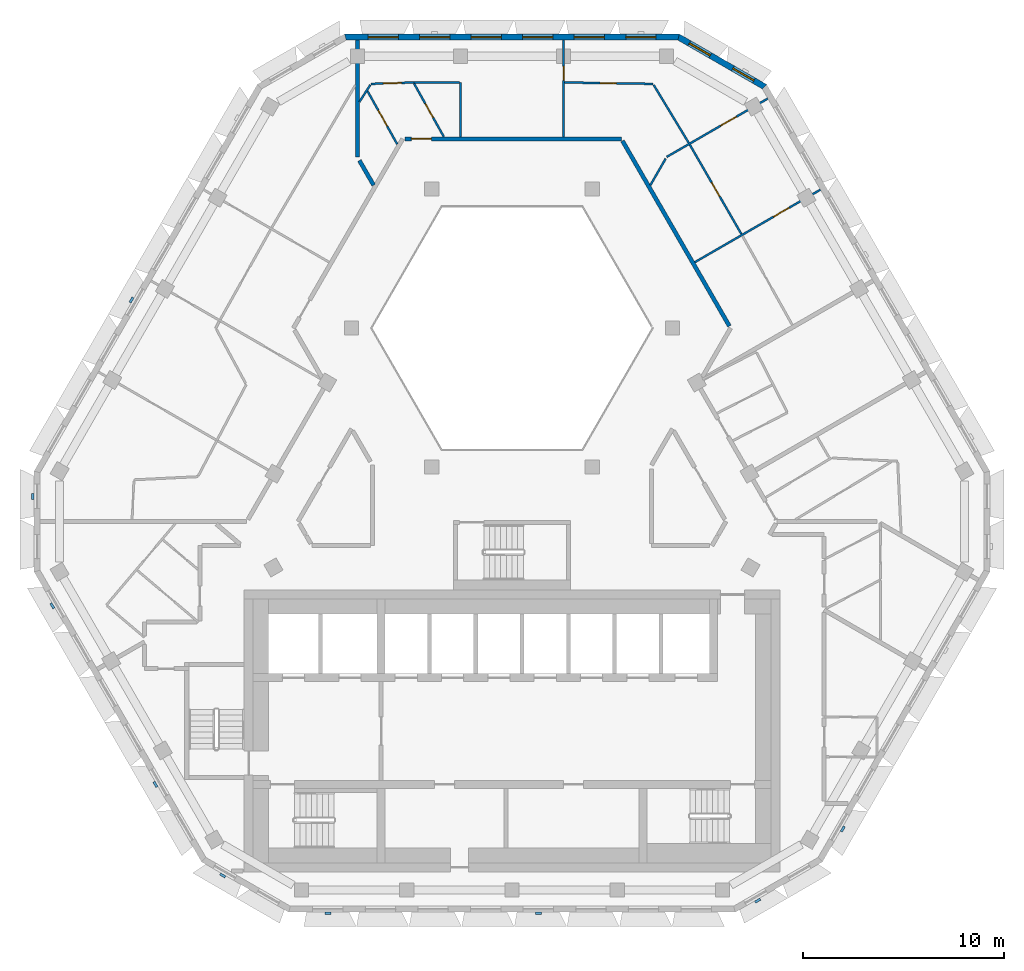
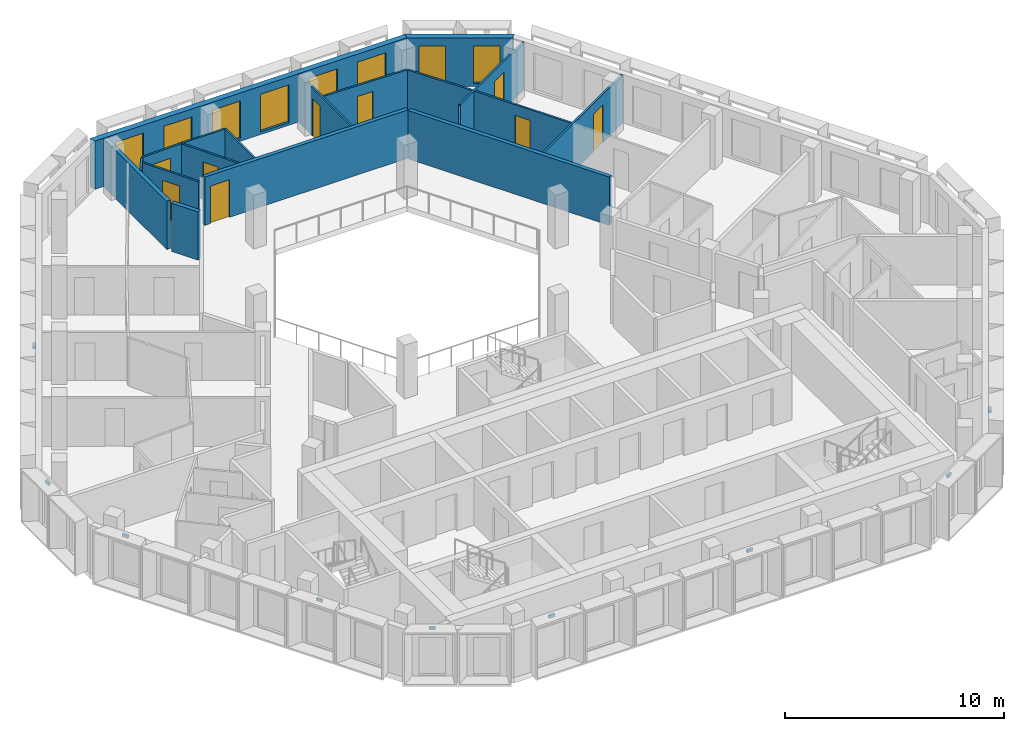
# One storey, part 8 of 16: 19 walls, 9 discrete accessories, 9 doors, 8 windows, 17 openings.
"""IFC4 building model written with IfcOpenShell, lengths in metres."""

from ifc_helpers import new_model, si_unit, direction, frame, frame_2d, origin, place, context, subcontext, project, spatial, polyline, rectangle, outline, extrude, source, transform, mapped, material, layer, layer_set, type_object, type_shapes, element, fill, save


model = new_model("IFC4")

# Units and contexts
model_context = context("Model", 3, precision=1e-05, world=origin(), true_north=direction((0.0, 1.0)))
body_context = subcontext(model_context, "Body", "Model", "MODEL_VIEW")
ifc_project = project(units=[si_unit("LENGTHUNIT", "METRE"), si_unit("AREAUNIT", "SQUARE_METRE"), si_unit("VOLUMEUNIT", "CUBIC_METRE"), si_unit("PLANEANGLEUNIT", "RADIAN"), si_unit("MASSUNIT", "GRAM", prefix="KILO")], contexts=[model_context])

# Site, building, storey
site_placement = place(None, origin())
site = spatial("IfcSite", under=ifc_project, at=site_placement, CompositionType="ELEMENT")
building_placement = place(site_placement, origin())
building = spatial("IfcBuilding", under=site, at=building_placement, Name="Beryl Residences", CompositionType="ELEMENT")
storey_placement = place(building_placement, frame((0.0, 0.0, 238.800048828125)))
storey = spatial("IfcBuildingStorey", under=building, at=storey_placement, Name="L74", CompositionType="ELEMENT", Elevation=238.800048828125)

# Wall, openings, windows
ifc_material_1 = material(Name="Composite metal panel with mineral wool insulation")
ifc_layer_1 = layer(ifc_material_1, 0.300048828125)
ifc_layer_set_1 = layer_set([ifc_layer_1], Name="ES1 pale metal composite panel wall 300 mm")
wall_type_1 = type_object("IfcWallType", Name="ES1 pale metal composite panel wall 300 mm", PredefinedType="SOLIDWALL", material=ifc_layer_set_1)
wall_1_placement = place(storey_placement, frame((8.31396484375, 22.449951171875, 0.0), z_axis=(0.0, 0.0, 1.0), x_axis=(-1.0, 0.0, 0.0)))
wall_1 = element("IfcWall", 1, at=wall_1_placement, inside=storey, type_object=wall_type_1, Name="ES1 external wall L74 N", PredefinedType="SOLIDWALL", context=body_context, shape_type="SweptSolid", body=[
    extrude(outline(polyline([(0.0, -0.14990234375), (16.6279296875, -0.14990234375), (16.547607421875, 0.14990234375), (0.080322265625, 0.14990234375), (0.0, -0.14990234375)])), origin(), (0.0, 0.0, 1.0), 2.699951171875),
])
opening_1_placement = place(wall_1_placement, frame((1.1650390625, 0.0, 0.14990234375)))
opening_1 = element("IfcOpeningElement", 2, at=opening_1_placement, cuts=wall_1, Name="Opening W1", PredefinedType="OPENING", context=body_context, shape_type="SweptSolid", body=[
    extrude(rectangle(XDim=1.5, YDim=2.10009765625, at=frame_2d((0.75, 1.050048828125))), frame((0.0, 0.159912109375, 0.0), z_axis=(0.0, -1.0, 0.0), x_axis=(1.0, 0.0, 0.0)), (0.0, 0.0, 1.0), 0.320068359375),
])
opening_2_placement = place(wall_1_placement, frame((3.72412109375, 0.0, 0.14990234375)))
opening_2 = element("IfcOpeningElement", 3, at=opening_2_placement, cuts=wall_1, Name="Opening W1", PredefinedType="OPENING", context=body_context, shape_type="SweptSolid", body=[
    extrude(rectangle(XDim=1.5, YDim=2.10009765625, at=frame_2d((0.75, 1.050048828125))), frame((0.0, 0.159912109375, 0.0), z_axis=(0.0, -1.0, 0.0), x_axis=(1.0, 0.0, 0.0)), (0.0, 0.0, 1.0), 0.320068359375),
])
opening_3_placement = place(wall_1_placement, frame((6.283935546875, 0.0, 0.14990234375)))
opening_3 = element("IfcOpeningElement", 4, at=opening_3_placement, cuts=wall_1, Name="Opening W1", PredefinedType="OPENING", context=body_context, shape_type="SweptSolid", body=[
    extrude(rectangle(XDim=1.5, YDim=2.10009765625, at=frame_2d((0.75, 1.050048828125))), frame((0.0, 0.159912109375, 0.0), z_axis=(0.0, -1.0, 0.0), x_axis=(1.0, 0.0, 0.0)), (0.0, 0.0, 1.0), 0.320068359375),
])
opening_4_placement = place(wall_1_placement, frame((8.843017578125, 0.0, 0.14990234375)))
opening_4 = element("IfcOpeningElement", 5, at=opening_4_placement, cuts=wall_1, Name="Opening W1", PredefinedType="OPENING", context=body_context, shape_type="SweptSolid", body=[
    extrude(rectangle(XDim=1.5, YDim=2.10009765625, at=frame_2d((0.75, 1.050048828125))), frame((0.0, 0.159912109375, 0.0), z_axis=(0.0, -1.0, 0.0), x_axis=(1.0, 0.0, 0.0)), (0.0, 0.0, 1.0), 0.320068359375),
])
opening_5_placement = place(wall_1_placement, frame((11.403076171875, 0.0, 0.14990234375)))
opening_5 = element("IfcOpeningElement", 6, at=opening_5_placement, cuts=wall_1, Name="Opening W1", PredefinedType="OPENING", context=body_context, shape_type="SweptSolid", body=[
    extrude(rectangle(XDim=1.5, YDim=2.10009765625, at=frame_2d((0.75, 1.050048828125))), frame((0.0, 0.159912109375, 0.0), z_axis=(0.0, -1.0, 0.0), x_axis=(1.0, 0.0, 0.0)), (0.0, 0.0, 1.0), 0.320068359375),
])
opening_6_placement = place(wall_1_placement, frame((13.9619140625, 0.0, 0.14990234375)))
opening_6 = element("IfcOpeningElement", 7, at=opening_6_placement, cuts=wall_1, Name="Opening W1", PredefinedType="OPENING", context=body_context, shape_type="SweptSolid", body=[
    extrude(rectangle(XDim=1.5, YDim=2.10009765625, at=frame_2d((0.75, 1.050048828125))), frame((0.0, 0.159912109375, 0.0), z_axis=(0.0, -1.0, 0.0), x_axis=(1.0, 0.0, 0.0)), (0.0, 0.0, 1.0), 0.320068359375),
])
ifc_material_2 = material(Name="Aluminium and clear glass", Category="aluminium")
window_type_1 = type_object("IfcWindowType", Name="W1 cell window 1500 x 2100 mm", PartitioningType="SINGLE_PANEL", PredefinedType="WINDOW", material=ifc_material_2)
window_1_placement = place(opening_1_placement, origin())
window_1 = element("IfcWindow", 8, at=window_1_placement, inside=storey, type_object=window_type_1, Name="W1 window L74 N 1", OverallHeight=2.10009765625, OverallWidth=1.5, PartitioningType="SINGLE_PANEL", PredefinedType="WINDOW", context=body_context, shape_type="SweptSolid", body=[
    extrude(rectangle(XDim=1.5, YDim=2.10009765625, at=frame_2d((0.75, 1.050048828125))), frame((0.0, 0.030029296875, 0.0), z_axis=(0.0, -1.0, 0.0), x_axis=(1.0, 0.0, 0.0)), (0.0, 0.0, 1.0), 0.06005859375),
])
fill(opening_1, window_1)
window_2_placement = place(opening_2_placement, origin())
window_2 = element("IfcWindow", 9, at=window_2_placement, inside=storey, type_object=window_type_1, Name="W1 window L74 N 2", OverallHeight=2.10009765625, OverallWidth=1.5, PartitioningType="SINGLE_PANEL", PredefinedType="WINDOW", context=body_context, shape_type="SweptSolid", body=[
    extrude(rectangle(XDim=1.5, YDim=2.10009765625, at=frame_2d((0.75, 1.050048828125))), frame((0.0, 0.030029296875, 0.0), z_axis=(0.0, -1.0, 0.0), x_axis=(1.0, 0.0, 0.0)), (0.0, 0.0, 1.0), 0.06005859375),
])
fill(opening_2, window_2)
window_3_placement = place(opening_3_placement, origin())
window_3 = element("IfcWindow", 10, at=window_3_placement, inside=storey, type_object=window_type_1, Name="W1 window L74 N 3", OverallHeight=2.10009765625, OverallWidth=1.5, PartitioningType="SINGLE_PANEL", PredefinedType="WINDOW", context=body_context, shape_type="SweptSolid", body=[
    extrude(rectangle(XDim=1.5, YDim=2.10009765625, at=frame_2d((0.75, 1.050048828125))), frame((0.0, 0.030029296875, 0.0), z_axis=(0.0, -1.0, 0.0), x_axis=(1.0, 0.0, 0.0)), (0.0, 0.0, 1.0), 0.06005859375),
])
fill(opening_3, window_3)
window_4_placement = place(opening_4_placement, origin())
window_4 = element("IfcWindow", 11, at=window_4_placement, inside=storey, type_object=window_type_1, Name="W1 window L74 N 4", OverallHeight=2.10009765625, OverallWidth=1.5, PartitioningType="SINGLE_PANEL", PredefinedType="WINDOW", context=body_context, shape_type="SweptSolid", body=[
    extrude(rectangle(XDim=1.5, YDim=2.10009765625, at=frame_2d((0.75, 1.050048828125))), frame((0.0, 0.030029296875, 0.0), z_axis=(0.0, -1.0, 0.0), x_axis=(1.0, 0.0, 0.0)), (0.0, 0.0, 1.0), 0.06005859375),
])
fill(opening_4, window_4)
window_5_placement = place(opening_5_placement, origin())
window_5 = element("IfcWindow", 12, at=window_5_placement, inside=storey, type_object=window_type_1, Name="W1 window L74 N 5", OverallHeight=2.10009765625, OverallWidth=1.5, PartitioningType="SINGLE_PANEL", PredefinedType="WINDOW", context=body_context, shape_type="SweptSolid", body=[
    extrude(rectangle(XDim=1.5, YDim=2.10009765625, at=frame_2d((0.75, 1.050048828125))), frame((0.0, 0.030029296875, 0.0), z_axis=(0.0, -1.0, 0.0), x_axis=(1.0, 0.0, 0.0)), (0.0, 0.0, 1.0), 0.06005859375),
])
fill(opening_5, window_5)
window_6_placement = place(opening_6_placement, origin())
window_6 = element("IfcWindow", 13, at=window_6_placement, inside=storey, type_object=window_type_1, Name="W1 window L74 N 6", OverallHeight=2.10009765625, OverallWidth=1.5, PartitioningType="SINGLE_PANEL", PredefinedType="WINDOW", context=body_context, shape_type="SweptSolid", body=[
    extrude(rectangle(XDim=1.5, YDim=2.10009765625, at=frame_2d((0.75, 1.050048828125))), frame((0.0, 0.030029296875, 0.0), z_axis=(0.0, -1.0, 0.0), x_axis=(1.0, 0.0, 0.0)), (0.0, 0.0, 1.0), 0.06005859375),
])
fill(opening_6, window_6)

wall_2_placement = place(storey_placement, frame((12.569091796875, 19.969970703125, 0.0), z_axis=(0.0, 0.0, 1.0), x_axis=(-0.866022959057, 0.500004234368, 0.0)))
wall_2 = element("IfcWall", 14, at=wall_2_placement, inside=storey, type_object=wall_type_1, Name="ES1 external wall L74 NE-N", PredefinedType="SOLIDWALL", context=body_context, shape_type="SweptSolid", body=[
    extrude(outline(polyline([(0.0, -0.14990234375), (5.0, -0.14990234375), (4.919677734375, 0.14990234375), (0.080322265625, 0.14990234375), (0.0, -0.14990234375)])), origin(), (0.0, 0.0, 1.0), 2.699951171875),
])
opening_7_placement = place(wall_2_placement, frame((0.64990234375, 0.0, 0.14990234375)))
opening_7 = element("IfcOpeningElement", 15, at=opening_7_placement, cuts=wall_2, Name="Opening W2", PredefinedType="OPENING", context=body_context, shape_type="SweptSolid", body=[
    extrude(rectangle(XDim=1.199951171875, YDim=2.10009765625, at=frame_2d((0.60009765625, 1.050048828125))), frame((0.0, 0.159912109375, 0.0), z_axis=(0.0, -1.0, 0.0), x_axis=(1.0, 0.0, 0.0)), (0.0, 0.0, 1.0), 0.320068359375),
])
opening_8_placement = place(wall_2_placement, frame((3.14990234375, 0.0, 0.14990234375)))
opening_8 = element("IfcOpeningElement", 16, at=opening_8_placement, cuts=wall_2, Name="Opening W2", PredefinedType="OPENING", context=body_context, shape_type="SweptSolid", body=[
    extrude(rectangle(XDim=1.199951171875, YDim=2.10009765625, at=frame_2d((0.60009765625, 1.050048828125))), frame((0.0, 0.159912109375, 0.0), z_axis=(0.0, -1.0, 0.0), x_axis=(1.0, 0.0, 0.0)), (0.0, 0.0, 1.0), 0.320068359375),
])
ifc_material_3 = material(Name="Aluminium and clear glass", Category="aluminium")
window_type_2 = type_object("IfcWindowType", Name="W2 chamfer window 1200 x 2100 mm", PartitioningType="SINGLE_PANEL", PredefinedType="WINDOW", material=ifc_material_3)
window_7_placement = place(opening_7_placement, origin())
window_7 = element("IfcWindow", 17, at=window_7_placement, inside=storey, type_object=window_type_2, Name="W2 window L74 NE-N 1", OverallHeight=2.10009765625, OverallWidth=1.199951171875, PartitioningType="SINGLE_PANEL", PredefinedType="WINDOW", context=body_context, shape_type="SweptSolid", body=[
    extrude(rectangle(XDim=1.199951171875, YDim=2.10009765625, at=frame_2d((0.60009765625, 1.050048828125))), frame((0.0, 0.030029296875, 0.0), z_axis=(0.0, -1.0, 0.0), x_axis=(1.0, 0.0, 0.0)), (0.0, 0.0, 1.0), 0.06005859375),
])
fill(opening_7, window_7)
window_8_placement = place(opening_8_placement, origin())
window_8 = element("IfcWindow", 18, at=window_8_placement, inside=storey, type_object=window_type_2, Name="W2 window L74 NE-N 2", OverallHeight=2.10009765625, OverallWidth=1.199951171875, PartitioningType="SINGLE_PANEL", PredefinedType="WINDOW", context=body_context, shape_type="SweptSolid", body=[
    extrude(rectangle(XDim=1.199951171875, YDim=2.10009765625, at=frame_2d((0.60009765625, 1.050048828125))), frame((0.0, 0.030029296875, 0.0), z_axis=(0.0, -1.0, 0.0), x_axis=(1.0, 0.0, 0.0)), (0.0, 0.0, 1.0), 0.06005859375),
])
fill(opening_8, window_8)

# Wall
ifc_material_4 = material(Name="Gypsum board partition on steel studs", Category="steel")
ifc_layer_2 = layer(ifc_material_4, 0.10009765625)
ifc_layer_set_2 = layer_set([ifc_layer_2], Name="PT1 partition 100 mm gypsum board on steel studs")
wall_type_2 = type_object("IfcWallType", Name="PT1 partition 100 mm gypsum board on steel studs", PredefinedType="PARTITIONING", material=ifc_layer_set_2)
wall_3_placement = place(storey_placement, frame((7.032958984375, 20.077880859375, 0.0), z_axis=(0.0, 0.0, 1.0), x_axis=(0.517601834362, -0.855621610915, 0.0)))
element("IfcWall", 19, at=wall_3_placement, inside=storey, type_object=wall_type_2, Name="Wall PT1 L74 003", PredefinedType="PARTITIONING", context=body_context, shape_type="SweptSolid", body=[
    extrude(rectangle(XDim=3.37158203125, YDim=0.10009765625, at=frame_2d((1.685791015625, 0.0))), origin(), (0.0, 0.0, 1.0), 2.699951171875),
])

# Wall, opening, door
wall_4_placement = place(storey_placement, frame((8.8291015625, 17.10693359375, 0.0), z_axis=(0.0, 0.0, 1.0), x_axis=(0.500022055211, -0.866012669828, 0.0)))
wall_4 = element("IfcWall", 20, at=wall_4_placement, inside=storey, type_object=wall_type_2, Name="Wall PT1 L74 005", PredefinedType="PARTITIONING", context=body_context, shape_type="SweptSolid", body=[
    extrude(rectangle(XDim=5.125732421875, YDim=0.10009765625, at=frame_2d((2.56298828125, 0.0))), origin(), (0.0, 0.0, 1.0), 2.699951171875),
])
opening_9_placement = place(wall_4_placement, frame((2.1630859375, 0.0, 0.0)))
opening_9 = element("IfcOpeningElement", 21, at=opening_9_placement, cuts=wall_4, Name="Opening D2008", PredefinedType="OPENING", context=body_context, shape_type="SweptSolid", body=[
    extrude(rectangle(XDim=0.800048828125, YDim=2.10009765625, at=frame_2d((0.39990234375, 1.050048828125))), frame((0.0, 0.06005859375, 0.0), z_axis=(0.0, -1.0, 0.0), x_axis=(1.0, 0.0, 0.0)), (0.0, 0.0, 1.0), 0.1201171875),
])
ifc_material_5 = material(Name="Timber door leaf", Category="wood")
door_type_1 = type_object("IfcDoorType", Name="D3 bathroom door 800 x 2100 mm", OperationType="SINGLE_SWING_LEFT", PredefinedType="DOOR", material=ifc_material_5)
door_1_placement = place(opening_9_placement, origin())
door_1 = element("IfcDoor", 22, at=door_1_placement, inside=storey, type_object=door_type_1, Name="Door D2008 L74 001", OperationType="SINGLE_SWING_RIGHT", OverallHeight=2.10009765625, OverallWidth=0.800048828125, PredefinedType="DOOR", context=body_context, shape_type="SweptSolid", body=[
    extrude(rectangle(XDim=0.800048828125, YDim=2.10009765625, at=frame_2d((0.39990234375, 1.050048828125))), frame((0.0, 0.02490234375, 0.0), z_axis=(0.0, -1.0, 0.0), x_axis=(1.0, 0.0, 0.0)), (0.0, 0.0, 1.0), 0.050048828125),
])
fill(opening_9, door_1)

wall_5_placement = place(storey_placement, frame((-7.174072265625, 19.76904296875, 0.0), z_axis=(0.0, 0.0, 1.0), x_axis=(0.488445917321, -0.872594170192, 0.0)))
wall_5 = element("IfcWall", 23, at=wall_5_placement, inside=storey, type_object=wall_type_2, Name="Wall PT1 L74 007", PredefinedType="PARTITIONING", context=body_context, shape_type="SweptSolid", body=[
    extrude(rectangle(XDim=3.02197265625, YDim=0.10009765625, at=frame_2d((1.510986328125, 0.0))), origin(), (0.0, 0.0, 1.0), 2.699951171875),
])
opening_10_placement = place(wall_5_placement, frame((1.091064453125, 0.0, 0.0)))
opening_10 = element("IfcOpeningElement", 24, at=opening_10_placement, cuts=wall_5, Name="Opening D2003", PredefinedType="OPENING", context=body_context, shape_type="SweptSolid", body=[
    extrude(rectangle(XDim=0.89990234375, YDim=2.10009765625, at=frame_2d((0.449951171875, 1.050048828125))), frame((0.0, 0.06005859375, 0.0), z_axis=(0.0, -1.0, 0.0), x_axis=(1.0, 0.0, 0.0)), (0.0, 0.0, 1.0), 0.1201171875),
])
ifc_material_6 = material(Name="Timber door leaf", Category="wood")
door_type_2 = type_object("IfcDoorType", Name="D2 room door 900 x 2100 mm", OperationType="SINGLE_SWING_LEFT", PredefinedType="DOOR", material=ifc_material_6)
door_2_placement = place(opening_10_placement, origin())
door_2 = element("IfcDoor", 25, at=door_2_placement, inside=storey, type_object=door_type_2, Name="Door D2003 L74 001", OperationType="SINGLE_SWING_LEFT", OverallHeight=2.10009765625, OverallWidth=0.89990234375, PredefinedType="DOOR", context=body_context, shape_type="SweptSolid", body=[
    extrude(rectangle(XDim=0.89990234375, YDim=2.10009765625, at=frame_2d((0.449951171875, 1.050048828125))), frame((0.0, 0.02490234375, 0.0), z_axis=(0.0, -1.0, 0.0), x_axis=(1.0, 0.0, 0.0)), (0.0, 0.0, 1.0), 0.050048828125),
])
fill(opening_10, door_2)

wall_6_placement = place(storey_placement, frame((-4.865966796875, 20.14990234375, 0.0), z_axis=(0.0, 0.0, 1.0), x_axis=(0.488343837593, -0.872651302804, 0.0)))
wall_6 = element("IfcWall", 26, at=wall_6_placement, inside=storey, type_object=wall_type_2, Name="Wall PT1 L74 008", PredefinedType="PARTITIONING", context=body_context, shape_type="SweptSolid", body=[
    extrude(rectangle(XDim=3.03662109375, YDim=0.10009765625, at=frame_2d((1.518310546875, 0.0))), origin(), (0.0, 0.0, 1.0), 2.699951171875),
])
opening_11_placement = place(wall_6_placement, frame((1.14697265625, 0.0, 0.0)))
opening_11 = element("IfcOpeningElement", 27, at=opening_11_placement, cuts=wall_6, Name="Opening D2002", PredefinedType="OPENING", context=body_context, shape_type="SweptSolid", body=[
    extrude(rectangle(XDim=0.800048828125, YDim=2.10009765625, at=frame_2d((0.39990234375, 1.050048828125))), frame((0.0, 0.06005859375, 0.0), z_axis=(0.0, -1.0, 0.0), x_axis=(1.0, 0.0, 0.0)), (0.0, 0.0, 1.0), 0.1201171875),
])
door_3_placement = place(opening_11_placement, origin())
door_3 = element("IfcDoor", 28, at=door_3_placement, inside=storey, type_object=door_type_1, Name="Door D2002 L74 001", OperationType="SINGLE_SWING_RIGHT", OverallHeight=2.10009765625, OverallWidth=0.800048828125, PredefinedType="DOOR", context=body_context, shape_type="SweptSolid", body=[
    extrude(rectangle(XDim=0.800048828125, YDim=2.10009765625, at=frame_2d((0.39990234375, 1.050048828125))), frame((0.0, 0.02490234375, 0.0), z_axis=(0.0, -1.0, 0.0), x_axis=(1.0, 0.0, 0.0)), (0.0, 0.0, 1.0), 0.050048828125),
])
fill(opening_11, door_3)

wall_7_placement = place(storey_placement, frame((2.610107421875, 20.198974609375, 0.0), z_axis=(0.0, 0.0, 1.0), x_axis=(0.99986918525, -0.016174436206, 0.0)))
wall_7 = element("IfcWall", 29, at=wall_7_placement, inside=storey, type_object=wall_type_2, Name="Wall PT1 L74 014", PredefinedType="PARTITIONING", context=body_context, shape_type="SweptSolid", body=[
    extrude(rectangle(XDim=4.392333984375, YDim=0.10009765625, at=frame_2d((2.1962890625, 0.0))), origin(), (0.0, 0.0, 1.0), 2.699951171875),
])
opening_12_placement = place(wall_7_placement, frame((1.77099609375, 0.0, 0.0)))
opening_12 = element("IfcOpeningElement", 30, at=opening_12_placement, cuts=wall_7, Name="Opening D2007", PredefinedType="OPENING", context=body_context, shape_type="SweptSolid", body=[
    extrude(rectangle(XDim=0.800048828125, YDim=2.10009765625, at=frame_2d((0.39990234375, 1.050048828125))), frame((0.0, 0.06005859375, 0.0), z_axis=(0.0, -1.0, 0.0), x_axis=(1.0, 0.0, 0.0)), (0.0, 0.0, 1.0), 0.1201171875),
])
door_4_placement = place(opening_12_placement, origin())
door_4 = element("IfcDoor", 31, at=door_4_placement, inside=storey, type_object=door_type_1, Name="Door D2007 L74 001", OperationType="SINGLE_SWING_LEFT", OverallHeight=2.10009765625, OverallWidth=0.800048828125, PredefinedType="DOOR", context=body_context, shape_type="SweptSolid", body=[
    extrude(rectangle(XDim=0.800048828125, YDim=2.10009765625, at=frame_2d((0.39990234375, 1.050048828125))), frame((0.0, 0.02490234375, 0.0), z_axis=(0.0, -1.0, 0.0), x_axis=(1.0, 0.0, 0.0)), (0.0, 0.0, 1.0), 0.050048828125),
])
fill(opening_12, door_4)

# Walls
wall_8_placement = place(storey_placement, frame((-4.9140625, 20.199951171875, 0.0), z_axis=(0.0, 0.0, 1.0), x_axis=(1.0, 0.0, 0.0)))
element("IfcWall", 32, at=wall_8_placement, inside=storey, type_object=wall_type_2, Name="Wall PT1 L74 022", PredefinedType="PARTITIONING", context=body_context, shape_type="SweptSolid", body=[
    extrude(rectangle(XDim=2.30517578125, YDim=0.10009765625, at=frame_2d((1.152587890625, 0.0))), origin(), (0.0, 0.0, 1.0), 2.699951171875),
])
wall_9_placement = place(storey_placement, frame((-7.577880859375, 19.23193359375, 0.0), z_axis=(0.0, 0.0, 1.0), x_axis=(0.540597871913, 0.841281130707, 0.0)))
element("IfcWall", 33, at=wall_9_placement, inside=storey, type_object=wall_type_2, Name="Wall PT1 L74 024", PredefinedType="PARTITIONING", context=body_context, shape_type="SweptSolid", body=[
    extrude(rectangle(XDim=1.00439453125, YDim=0.10009765625, at=frame_2d((0.502197265625, 0.0))), origin(), (0.0, 0.0, 1.0), 2.699951171875),
])
wall_10_placement = place(storey_placement, frame((6.87109375, 15.10009765625, 0.0), z_axis=(0.0, 0.0, 1.0), x_axis=(0.499805980977, 0.866137391745, 0.0)))
element("IfcWall", 34, at=wall_10_placement, inside=storey, type_object=wall_type_2, Name="Wall PT1 L74 027", PredefinedType="PARTITIONING", context=body_context, shape_type="SweptSolid", body=[
    extrude(rectangle(XDim=1.51806640625, YDim=0.10009765625, at=frame_2d((0.759033203125, 0.0))), origin(), (0.0, 0.0, 1.0), 2.699951171875),
])

# Wall, opening, door
wall_11_placement = place(storey_placement, frame((2.56005859375, 17.5, 0.0), z_axis=(0.0, 0.0, 1.0), x_axis=(0.0, 1.0, 0.0)))
wall_11 = element("IfcWall", 35, at=wall_11_placement, inside=storey, type_object=wall_type_2, Name="Wall PT1 L74 033", PredefinedType="PARTITIONING", context=body_context, shape_type="SweptSolid", body=[
    extrude(rectangle(XDim=4.800048828125, YDim=0.10009765625, at=frame_2d((2.39990234375, 0.0))), origin(), (0.0, 0.0, 1.0), 2.699951171875),
])
opening_13_placement = place(wall_11_placement, frame((2.800048828125, 0.0, 0.0)))
opening_13 = element("IfcOpeningElement", 36, at=opening_13_placement, cuts=wall_11, Name="Opening D2005", PredefinedType="OPENING", context=body_context, shape_type="SweptSolid", body=[
    extrude(rectangle(XDim=0.699951171875, YDim=2.10009765625, at=frame_2d((0.35009765625, 1.050048828125))), frame((0.0, 0.06005859375, 0.0), z_axis=(0.0, -1.0, 0.0), x_axis=(1.0, 0.0, 0.0)), (0.0, 0.0, 1.0), 0.1201171875),
])
ifc_material_7 = material(Name="Timber door leaf", Category="wood")
door_type_3 = type_object("IfcDoorType", Name="D14 room door 700 x 2100 mm", OperationType="SINGLE_SWING_LEFT", PredefinedType="DOOR", material=ifc_material_7)
door_5_placement = place(opening_13_placement, origin())
door_5 = element("IfcDoor", 37, at=door_5_placement, inside=storey, type_object=door_type_3, Name="Door D2005 L74 001", OperationType="SINGLE_SWING_LEFT", OverallHeight=2.10009765625, OverallWidth=0.699951171875, PredefinedType="DOOR", context=body_context, shape_type="SweptSolid", body=[
    extrude(rectangle(XDim=0.699951171875, YDim=2.10009765625, at=frame_2d((0.35009765625, 1.050048828125))), frame((0.0, 0.02490234375, 0.0), z_axis=(0.0, -1.0, 0.0), x_axis=(1.0, 0.0, 0.0)), (0.0, 0.0, 1.0), 0.050048828125),
])
fill(opening_13, door_5)

# Wall
wall_12_placement = place(storey_placement, frame((-2.55908203125, 17.5, 0.0), z_axis=(0.0, 0.0, 1.0), x_axis=(0.0, 1.0, 0.0)))
element("IfcWall", 38, at=wall_12_placement, inside=storey, type_object=wall_type_2, Name="Wall PT1 L74 034", PredefinedType="PARTITIONING", context=body_context, shape_type="SweptSolid", body=[
    extrude(rectangle(XDim=2.699951171875, YDim=0.10009765625, at=frame_2d((1.35009765625, 0.0))), origin(), (0.0, 0.0, 1.0), 2.699951171875),
])

# Wall, opening, door
wall_13_placement = place(storey_placement, frame((-7.001953125, 20.1279296875, 0.0), z_axis=(0.0, 0.0, 1.0), x_axis=(0.999429293715, 0.033779977274, 0.0)))
wall_13 = element("IfcWall", 39, at=wall_13_placement, inside=storey, type_object=wall_type_2, Name="Wall PT1 L74 035", PredefinedType="PARTITIONING", context=body_context, shape_type="SweptSolid", body=[
    extrude(rectangle(XDim=2.132080078125, YDim=0.10009765625, at=frame_2d((1.06591796875, 0.0))), origin(), (0.0, 0.0, 1.0), 2.699951171875),
])
opening_14_placement = place(wall_13_placement, frame((0.615966796875, 0.0, 0.0)))
opening_14 = element("IfcOpeningElement", 40, at=opening_14_placement, cuts=wall_13, Name="Opening D2004", PredefinedType="OPENING", context=body_context, shape_type="SweptSolid", body=[
    extrude(rectangle(XDim=0.89990234375, YDim=2.10009765625, at=frame_2d((0.449951171875, 1.050048828125))), frame((0.0, 0.06005859375, 0.0), z_axis=(0.0, -1.0, 0.0), x_axis=(1.0, 0.0, 0.0)), (0.0, 0.0, 1.0), 0.1201171875),
])
door_6_placement = place(opening_14_placement, origin())
door_6 = element("IfcDoor", 41, at=door_6_placement, inside=storey, type_object=door_type_2, Name="Door D2004 L74 001", OperationType="SINGLE_SWING_RIGHT", OverallHeight=2.10009765625, OverallWidth=0.89990234375, PredefinedType="DOOR", context=body_context, shape_type="SweptSolid", body=[
    extrude(rectangle(XDim=0.89990234375, YDim=2.10009765625, at=frame_2d((0.449951171875, 1.050048828125))), frame((0.0, 0.02490234375, 0.0), z_axis=(0.0, -1.0, 0.0), x_axis=(1.0, 0.0, 0.0)), (0.0, 0.0, 1.0), 0.050048828125),
])
fill(opening_14, door_6)

wall_14_placement = place(storey_placement, frame((9.0791015625, 11.27490234375, 0.0), z_axis=(0.0, 0.0, 1.0), x_axis=(0.866001485781, 0.500041424909, 0.0)))
wall_14 = element("IfcWall", 42, at=wall_14_placement, inside=storey, type_object=wall_type_2, Name="Wall PT1 L74 043", PredefinedType="PARTITIONING", context=body_context, shape_type="SweptSolid", body=[
    extrude(rectangle(XDim=7.19970703125, YDim=0.10009765625, at=frame_2d((3.599853515625, 0.0))), origin(), (0.0, 0.0, 1.0), 2.699951171875),
])
opening_15_placement = place(wall_14_placement, frame((4.5, 0.0, 0.0)))
opening_15 = element("IfcOpeningElement", 43, at=opening_15_placement, cuts=wall_14, Name="Opening D2009", PredefinedType="OPENING", context=body_context, shape_type="SweptSolid", body=[
    extrude(rectangle(XDim=0.89990234375, YDim=2.10009765625, at=frame_2d((0.449951171875, 1.050048828125))), frame((0.0, 0.06005859375, 0.0), z_axis=(0.0, -1.0, 0.0), x_axis=(1.0, 0.0, 0.0)), (0.0, 0.0, 1.0), 0.1201171875),
])
door_7_placement = place(opening_15_placement, origin())
door_7 = element("IfcDoor", 44, at=door_7_placement, inside=storey, type_object=door_type_2, Name="Door D2009 L74 001", OperationType="SINGLE_SWING_LEFT", OverallHeight=2.10009765625, OverallWidth=0.89990234375, PredefinedType="DOOR", context=body_context, shape_type="SweptSolid", body=[
    extrude(rectangle(XDim=0.89990234375, YDim=2.10009765625, at=frame_2d((0.449951171875, 1.050048828125))), frame((0.0, 0.02490234375, 0.0), z_axis=(0.0, -1.0, 0.0), x_axis=(1.0, 0.0, 0.0)), (0.0, 0.0, 1.0), 0.050048828125),
])
fill(opening_15, door_7)

wall_15_placement = place(storey_placement, frame((7.679931640625, 16.5009765625, 0.0), z_axis=(0.0, 0.0, 1.0), x_axis=(0.86602149507, 0.500006770031, 0.0)))
wall_15 = element("IfcWall", 45, at=wall_15_placement, inside=storey, type_object=wall_type_2, Name="Wall PT1 L74 044", PredefinedType="PARTITIONING", context=body_context, shape_type="SweptSolid", body=[
    extrude(rectangle(XDim=5.7978515625, YDim=0.10009765625, at=frame_2d((2.89892578125, 0.0))), origin(), (0.0, 0.0, 1.0), 2.699951171875),
])
opening_16_placement = place(wall_15_placement, frame((3.097900390625, 0.0, 0.0)))
opening_16 = element("IfcOpeningElement", 46, at=opening_16_placement, cuts=wall_15, Name="Opening D2006", PredefinedType="OPENING", context=body_context, shape_type="SweptSolid", body=[
    extrude(rectangle(XDim=0.89990234375, YDim=2.10009765625, at=frame_2d((0.449951171875, 1.050048828125))), frame((0.0, 0.06005859375, 0.0), z_axis=(0.0, -1.0, 0.0), x_axis=(1.0, 0.0, 0.0)), (0.0, 0.0, 1.0), 0.1201171875),
])
door_8_placement = place(opening_16_placement, origin())
door_8 = element("IfcDoor", 47, at=door_8_placement, inside=storey, type_object=door_type_2, Name="Door D2006 L74 001", OperationType="SINGLE_SWING_RIGHT", OverallHeight=2.10009765625, OverallWidth=0.89990234375, PredefinedType="DOOR", context=body_context, shape_type="SweptSolid", body=[
    extrude(rectangle(XDim=0.89990234375, YDim=2.10009765625, at=frame_2d((0.449951171875, 1.050048828125))), frame((0.0, 0.02490234375, 0.0), z_axis=(0.0, -1.0, 0.0), x_axis=(1.0, 0.0, 0.0)), (0.0, 0.0, 1.0), 0.050048828125),
])
fill(opening_16, door_8)

# Walls
ifc_material_8 = material(Name="Acoustic double stud gypsum board wall")
ifc_layer_3 = layer(ifc_material_8, 0.199951171875)
ifc_layer_set_3 = layer_set([ifc_layer_3], Name="PT3 party wall 200 mm acoustic double stud")
wall_type_3 = type_object("IfcWallType", Name="PT3 party wall 200 mm acoustic double stud", PredefinedType="PARTITIONING", material=ifc_layer_set_3)
wall_16_placement = place(storey_placement, frame((-7.577880859375, 16.324951171875, 0.0), z_axis=(0.0, 0.0, 1.0), x_axis=(0.500314976313, -0.865843475737, 0.0)))
element("IfcWall", 48, at=wall_16_placement, inside=storey, type_object=wall_type_3, Name="Wall PT3 L74 002", PredefinedType="PARTITIONING", context=body_context, shape_type="SweptSolid", body=[
    extrude(rectangle(XDim=1.41455078125, YDim=0.199951171875, at=frame_2d((0.707275390625, 0.0))), origin(), (0.0, 0.0, 1.0), 2.699951171875),
])
wall_17_placement = place(storey_placement, frame((-7.677978515625, 16.4990234375, 0.0), z_axis=(0.0, 0.0, 1.0), x_axis=(0.0, 1.0, 0.0)))
element("IfcWall", 49, at=wall_17_placement, inside=storey, type_object=wall_type_3, Name="Wall PT3 L74 009", PredefinedType="PARTITIONING", context=body_context, shape_type="SweptSolid", body=[
    extrude(rectangle(XDim=5.801025390625, YDim=0.199951171875, at=frame_2d((2.900390625, 0.0))), origin(), (0.0, 0.0, 1.0), 2.699951171875),
])
ifc_material_9 = material(Name="Double stud gypsum board wall")
ifc_layer_4 = layer(ifc_material_9, 0.199951171875)
ifc_layer_set_4 = layer_set([ifc_layer_4], Name="PT4 corridor wall 200 mm double stud")
wall_type_4 = type_object("IfcWallType", Name="PT4 corridor wall 200 mm double stud", PredefinedType="PARTITIONING", material=ifc_layer_set_4)
wall_18_placement = place(storey_placement, frame((5.485107421875, 17.300048828125, 0.0), z_axis=(0.0, 0.0, 1.0), x_axis=(0.499943285704, -0.866058145322, 0.0)))
element("IfcWall", 50, at=wall_18_placement, inside=storey, type_object=wall_type_4, Name="Wall PT4 L74 007", PredefinedType="PARTITIONING", context=body_context, shape_type="SweptSolid", body=[
    extrude(rectangle(XDim=10.622802734375, YDim=0.199951171875, at=frame_2d((5.3115234375, 0.0))), origin(), (0.0, 0.0, 1.0), 2.699951171875),
])

# Wall, opening, door
wall_19_placement = place(storey_placement, frame((-5.31201171875, 17.39990234375, 0.0), z_axis=(0.0, 0.0, 1.0), x_axis=(1.0, 0.0, 0.0)))
wall_19 = element("IfcWall", 51, at=wall_19_placement, inside=storey, type_object=wall_type_4, Name="Wall PT4 L74 018", PredefinedType="PARTITIONING", context=body_context, shape_type="SweptSolid", body=[
    extrude(rectangle(XDim=10.739013671875, YDim=0.199951171875, at=frame_2d((5.36962890625, 0.0))), origin(), (0.0, 0.0, 1.0), 2.699951171875),
])
opening_17_placement = place(wall_19_placement, frame((0.31103515625, 0.0, 0.0)))
opening_17 = element("IfcOpeningElement", 52, at=opening_17_placement, cuts=wall_19, Name="Opening D2001", PredefinedType="OPENING", context=body_context, shape_type="SweptSolid", body=[
    extrude(rectangle(XDim=1.0, YDim=2.10009765625, at=frame_2d((0.5, 1.050048828125))), frame((0.0, 0.10986328125, 0.0), z_axis=(0.0, -1.0, 0.0), x_axis=(1.0, 0.0, 0.0)), (0.0, 0.0, 1.0), 0.219970703125),
])
ifc_material_10 = material(Name="Timber door leaf", Category="wood")
door_type_4 = type_object("IfcDoorType", Name="D1 flat entrance door 1000 x 2100 mm", OperationType="SINGLE_SWING_LEFT", PredefinedType="DOOR", material=ifc_material_10)
door_9_placement = place(opening_17_placement, origin())
door_9 = element("IfcDoor", 53, at=door_9_placement, inside=storey, type_object=door_type_4, Name="Door D2001 L74 001", OperationType="SINGLE_SWING_LEFT", OverallHeight=2.10009765625, OverallWidth=1.0, PredefinedType="DOOR", context=body_context, shape_type="SweptSolid", body=[
    extrude(rectangle(XDim=1.0, YDim=2.10009765625, at=frame_2d((0.5, 1.050048828125))), frame((0.0, 0.02490234375, 0.0), z_axis=(0.0, -1.0, 0.0), x_axis=(1.0, 0.0, 0.0)), (0.0, 0.0, 1.0), 0.050048828125),
])
fill(opening_17, door_9)

# Discrete accessories
ifc_material_11 = material(Name="Steel S355", Category="steel")
discrete_accessory_type = type_object("IfcDiscreteAccessoryType", Name="BR1 frame bracket 300 x 120 x 150 mm", PredefinedType="BRACKET", material=ifc_material_11)
shared_shape = source(origin(), body_context, "Body", "SweptSolid", [
    extrude(outline(polyline([(-0.14990234375, 0.0), (0.14990234375, 0.0), (0.14990234375, 0.1201171875), (-0.14990234375, 0.1201171875), (-0.14990234375, 0.0)])), origin(), (0.0, 0.0, 1.0), 0.14990234375),
])
type_shapes(discrete_accessory_type, [shared_shape])
for number, where, z_axis, x_axis, name in (
    (54, (-18.839111328125, 9.368896484375, 2.75), (0.0, 0.0, 1.0), (0.5, 0.866025403784, 0.0), "BR1 bracket L74 NW 5"),
    (55, (-23.72900390625, -0.35009765625, 2.75), (0.0, 0.0, 1.0), (0.0, 1.0, 0.0), "BR1 bracket L74 NW-SW 1"),
    (56, (-22.77099609375, -5.758056640625, 2.75), (0.0, 0.0, 1.0), (-0.5, 0.866025403784, 0.0), "BR1 bracket L74 SW 1"),
    (57, (-17.653076171875, -14.6240234375, 2.75), (0.0, 0.0, 1.0), (-0.5, 0.866025403784, 0.0), "BR1 bracket L74 SW 5"),
    (58, (-14.33203125, -19.125, 2.75), (0.0, 0.0, 1.0), (-0.866025403784, 0.5, 0.0), "BR1 bracket L74 SW-S 1"),
    (59, (-9.14404296875, -21.0, 2.75), (0.0, 0.0, 1.0), (-1.0, 0.0, 0.0), "BR1 bracket L74 S 1"),
    (60, (1.305908203125, -21.0, 2.75), (0.0, 0.0, 1.0), (-1.0, 0.0, 0.0), "BR1 bracket L74 S 5"),
    (61, (12.16796875, -20.375, 2.75), (0.0, 0.0, 1.0), (-0.866025403784, -0.5, 0.0), "BR1 bracket L74 S-SE 1"),
    (62, (16.373046875, -16.842041015625, 2.75), (0.0, 0.0, 1.0), (-0.5, -0.866025403784, 0.0), "BR1 bracket L74 SE 1"),
):
    element("IfcDiscreteAccessory", number, at=place(storey_placement, frame(where, z_axis=z_axis, x_axis=x_axis)), inside=storey, type_object=discrete_accessory_type, Name=name, PredefinedType="BRACKET", context=body_context, shape_type="MappedRepresentation", body=[
        mapped(shared_shape, transform((0.0, 0.0, 0.0))),
    ])

save(model, "model.ifc")
